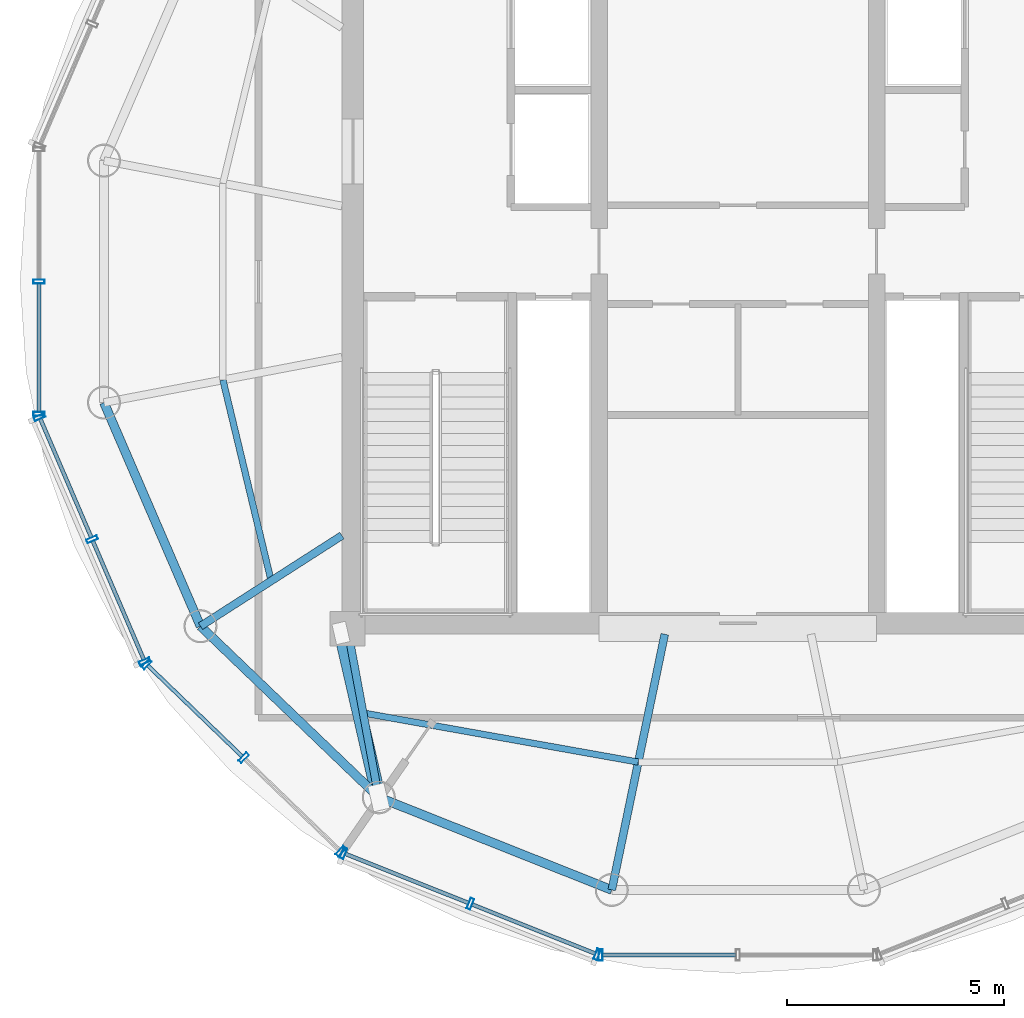
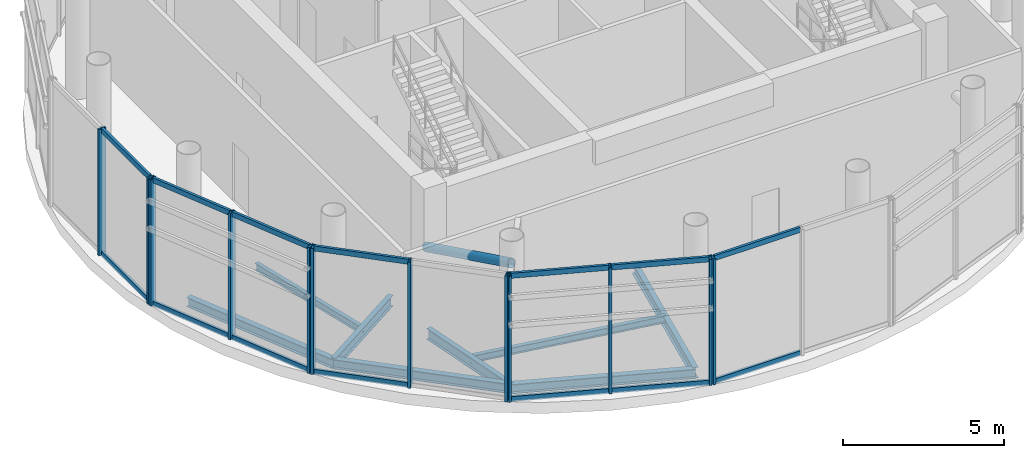
# One storey, part 2 of 14: 27 members, 8 beams, 5 elements without a shape of their own.
"""IFC4 building model written with IfcOpenShell, lengths in metres."""

from ifc_helpers import new_model, si_unit, direction, frame, origin, origin_2d, place, context, subcontext, project, spatial, hollow_rectangle, hollow_circle, i_section, extrude, source, transform, mapped, material, material_profile, profile_set, type_object, element, aggregate, save


model = new_model("IFC4")

# Units and contexts
model_context = context("Model", 3, precision=1e-05, world=origin(), true_north=direction((-0.2419218956, 0.970295726276)))
body_context = subcontext(model_context, "Body", "Model", "MODEL_VIEW")
ifc_project = project(units=[si_unit("LENGTHUNIT", "METRE"), si_unit("AREAUNIT", "SQUARE_METRE"), si_unit("VOLUMEUNIT", "CUBIC_METRE"), si_unit("PLANEANGLEUNIT", "RADIAN"), si_unit("MASSUNIT", "GRAM", prefix="KILO")], contexts=[model_context])

# Site, building, storey
site_placement = place(None, origin())
site = spatial("IfcSite", under=ifc_project, at=site_placement, CompositionType="ELEMENT")
building_placement = place(site_placement, origin())
building = spatial("IfcBuilding", under=site, at=building_placement, Name="Cobrevalo Terracotta Tower", CompositionType="ELEMENT")
storey_placement = place(building_placement, frame((0.0, 0.0, 326.89990234375)))
storey = spatial("IfcBuildingStorey", under=building, at=storey_placement, Name="L84", CompositionType="ELEMENT", Elevation=326.89990234375)

# Beams
ifc_material_1 = material(Name="Steel S355", Category="steel")
ifc_material_profile_1 = material_profile(ifc_material_1, i_section(OverallWidth=0.179931640625, OverallDepth=0.4130859375, WebThickness=0.009765625, FlangeThickness=0.01611328125, at=origin_2d()), Name="W 410x75")
ifc_profile_set_1 = profile_set([ifc_material_profile_1], Name="Steel S355")
beam_type_1 = type_object("IfcBeamType", Name="Structural Beam W 410x75 (Steel S355)", PredefinedType="BEAM", material=ifc_profile_set_1)
beam_1_placement = place(storey_placement, frame((25.611083984375, 18.855224609375, -0.62646484375), z_axis=(0.841794646381, 0.539797900444, 0.0), x_axis=(-0.539797900444, 0.841794646381, 0.0)))
element("IfcBeam", 1, at=beam_1_placement, inside=storey, type_object=beam_type_1, Name="L84 radial floor girder 10", PredefinedType="BEAM", context=body_context, shape_type="SweptSolid", body=[
    extrude(i_section(OverallWidth=0.179931640625, OverallDepth=0.4130859375, WebThickness=0.009765625, FlangeThickness=0.01611328125, at=origin_2d()), origin(), (0.0, 0.0, 1.0), 3.87158203125),
])
beam_2_placement = place(storey_placement, frame((29.721923828125, 14.909912109375, -0.62646484375), z_axis=(-0.182462670706, 0.983212781548, 0.0), x_axis=(-0.983212781548, -0.182462670706, 0.0)))
element("IfcBeam", 2, at=beam_2_placement, inside=storey, type_object=beam_type_1, Name="L84 radial floor girder 11", PredefinedType="BEAM", context=body_context, shape_type="SweptSolid", body=[
    extrude(i_section(OverallWidth=0.179931640625, OverallDepth=0.4130859375, WebThickness=0.009765625, FlangeThickness=0.01611328125, at=origin_2d()), origin(), (0.0, 0.0, 1.0), 3.95654296875),
])
beam_3_placement = place(storey_placement, frame((35.09326171875, 12.774658203125, -0.62646484375), z_axis=(0.202919370173, 0.979195449953, 0.0), x_axis=(-0.979195449953, 0.202919370173, 0.0)))
element("IfcBeam", 3, at=beam_3_placement, inside=storey, type_object=beam_type_1, Name="L84 radial floor girder 12", PredefinedType="BEAM", context=body_context, shape_type="SweptSolid", body=[
    extrude(i_section(OverallWidth=0.179931640625, OverallDepth=0.4130859375, WebThickness=0.009765625, FlangeThickness=0.01611328125, at=origin_2d()), origin(), (0.0, 0.0, 1.0), 6.0205078125),
])
ifc_material_profile_2 = material_profile(ifc_material_1, i_section(OverallWidth=0.14794921875, OverallDepth=0.26611328125, WebThickness=0.007568359375, FlangeThickness=0.012939453125, at=origin_2d()), Name="W 250x44.8")
ifc_profile_set_2 = profile_set([ifc_material_profile_2], Name="Steel S355")
beam_type_2 = type_object("IfcBeamType", Name="Structural Joist W 250x44.8 (Steel S355)", PredefinedType="JOIST", material=ifc_profile_set_2)
beam_4_placement = place(storey_placement, frame((26.128173828125, 24.53369140625, -0.552978515625), z_axis=(0.233423333819, -0.972375209078, 0.0), x_axis=(0.972375209078, 0.233423333819, 0.0)))
element("IfcBeam", 4, at=beam_4_placement, inside=storey, type_object=beam_type_2, Name="L84 circumferential secondary floor joist 09", PredefinedType="JOIST", context=body_context, shape_type="SweptSolid", body=[
    extrude(i_section(OverallWidth=0.14794921875, OverallDepth=0.26611328125, WebThickness=0.007568359375, FlangeThickness=0.012939453125, at=origin_2d()), origin(), (0.0, 0.0, 1.0), 4.76513671875),
])
beam_5_placement = place(storey_placement, frame((29.361083984375, 16.85498046875, -0.552978515625), z_axis=(0.984430619707, -0.175773590117, 0.0), x_axis=(0.175773590117, 0.984430619707, 0.0)))
element("IfcBeam", 5, at=beam_5_placement, inside=storey, type_object=beam_type_2, Name="L84 circumferential secondary floor joist 11", PredefinedType="JOIST", context=body_context, shape_type="SweptSolid", body=[
    extrude(i_section(OverallWidth=0.14794921875, OverallDepth=0.26611328125, WebThickness=0.007568359375, FlangeThickness=0.012939453125, at=origin_2d()), origin(), (0.0, 0.0, 1.0), 6.443359375),
])
ifc_material_profile_3 = material_profile(ifc_material_1, i_section(OverallWidth=0.205078125, OverallDepth=0.35400390625, WebThickness=0.009521484375, FlangeThickness=0.016845703125, at=origin_2d()), Name="W 360x79")
ifc_profile_set_3 = profile_set([ifc_material_profile_3], Name="Steel S355")
beam_type_3 = type_object("IfcBeamType", Name="Structural Spandrel W 360x79 (Steel S355)", PredefinedType="SPANDREL", material=ifc_profile_set_3)
beam_6_placement = place(storey_placement, frame((23.38623046875, 24.01025390625, -0.596923828125), z_axis=(0.396258594602, -0.918138947112, 0.0), x_axis=(0.918138947112, 0.396258594602, 0.0)))
element("IfcBeam", 6, at=beam_6_placement, inside=storey, type_object=beam_type_3, Name="L84 perimeter ring spandrel 09", PredefinedType="SPANDREL", context=body_context, shape_type="SweptSolid", body=[
    extrude(i_section(OverallWidth=0.205078125, OverallDepth=0.35400390625, WebThickness=0.009521484375, FlangeThickness=0.016845703125, at=origin_2d()), origin(), (0.0, 0.0, 1.0), 5.61474609375),
])
beam_7_placement = place(storey_placement, frame((25.611083984375, 18.855224609375, -0.596923828125), z_axis=(0.72148321486, -0.69243192494, 0.0), x_axis=(0.69243192494, 0.72148321486, 0.0)))
element("IfcBeam", 7, at=beam_7_placement, inside=storey, type_object=beam_type_3, Name="L84 perimeter ring spandrel 10", PredefinedType="SPANDREL", context=body_context, shape_type="SweptSolid", body=[
    extrude(i_section(OverallWidth=0.205078125, OverallDepth=0.35400390625, WebThickness=0.009521484375, FlangeThickness=0.016845703125, at=origin_2d()), origin(), (0.0, 0.0, 1.0), 5.69775390625),
])
beam_8_placement = place(storey_placement, frame((29.721923828125, 14.909912109375, -0.596923828125), z_axis=(0.929266894942, -0.369409038824, 0.0), x_axis=(0.369409038824, 0.929266894942, 0.0)))
element("IfcBeam", 8, at=beam_8_placement, inside=storey, type_object=beam_type_3, Name="L84 perimeter ring spandrel 11", PredefinedType="SPANDREL", context=body_context, shape_type="SweptSolid", body=[
    extrude(i_section(OverallWidth=0.205078125, OverallDepth=0.35400390625, WebThickness=0.009521484375, FlangeThickness=0.016845703125, at=origin_2d()), origin(), (0.0, 0.0, 1.0), 5.7802734375),
])

# Member
ifc_material_profile_4 = material_profile(ifc_material_1, hollow_circle(Radius=0.162109375, WallThickness=0.013916015625, at=origin_2d()), Name="CHS 324x14")
ifc_profile_set_4 = profile_set([ifc_material_profile_4], Name="Steel S355")
member_type_1 = type_object("IfcMemberType", Name="Steel Brace CHS 324x14 (Steel S355)", PredefinedType="BRACE", material=ifc_profile_set_4)
shared_shape_1 = source(origin(), body_context, "Body", "SweptSolid", [
    extrude(hollow_circle(Radius=0.162109375, WallThickness=0.013916015625, at=origin_2d()), origin(), (0.0, 0.0, 1.0), 4.126708984375),
])
member_1_placement = place(storey_placement, frame((28.85009765625, 18.699951171875, 2.75), z_axis=(0.211267372013, -0.918430322917, 0.334442580227), x_axis=(0.974548603832, 0.224176311794, 0.0)))
element("IfcMember", 9, at=member_1_placement, inside=storey, type_object=member_type_1, Name="L84 CROWN FRAME radial brace 03", PredefinedType="BRACE", context=body_context, shape_type="MappedRepresentation", body=[
    mapped(shared_shape_1, transform((0.0, 0.0, 0.0), scale=1.0)),
])

# Curtain wall, members
ifc_material_2 = material(Name="Anodized aluminium", Category="aluminium")
curtain_wall_type = type_object("IfcCurtainWallType", Name="Faceted glass-point crown structural glazing system CW-CR", PredefinedType="NOTDEFINED", material=ifc_material_2)
curtain_wall_1_placement = place(storey_placement, origin())
curtain_wall_1 = element("IfcCurtainWall", 10, at=curtain_wall_1_placement, inside=storey, type_object=curtain_wall_type, Name="L84 curtain wall CW-CRN-L84-S08", PredefinedType="NOTDEFINED")
ifc_material_profile_5 = material_profile(ifc_material_2, hollow_rectangle(XDim=0.090087890625, YDim=0.260009765625, WallThickness=0.006103515625, at=origin_2d()), Name="CWM 90x260")
ifc_profile_set_5 = profile_set([ifc_material_profile_5], Name="Anodized aluminium")
member_type_2 = type_object("IfcMemberType", Name="Crown structural glass mullion 90x260", PredefinedType="MULLION", material=ifc_profile_set_5)
shared_shape_2 = source(origin(), body_context, "Body", "SweptSolid", [
    extrude(hollow_rectangle(XDim=0.090087890625, YDim=0.260009765625, WallThickness=0.006103515625, at=origin_2d()), origin(), (0.0, 0.0, 1.0), 4.780029296875),
])
member_2_placement = place(storey_placement, frame((21.8857421875, 26.800048828125, 0.0), z_axis=(0.0, 0.0, 1.0), x_axis=(0.0, -1.0, 0.0)))
member_2 = element("IfcMember", 11, at=member_2_placement, type_object=member_type_2, Name="CW-CRN-L84-S08 vertical mullion 02", PredefinedType="MULLION", context=body_context, shape_type="MappedRepresentation", body=[
    mapped(shared_shape_2, transform((0.0, 0.0, 0.0), scale=1.0)),
])
member_3_placement = place(storey_placement, frame((21.8857421875, 23.751708984375, 0.0), z_axis=(0.0, 0.0, 1.0), x_axis=(0.0, -1.0, 0.0)))
member_3 = element("IfcMember", 12, at=member_3_placement, type_object=member_type_2, Name="CW-CRN-L84-S08 vertical mullion 03", PredefinedType="MULLION", context=body_context, shape_type="MappedRepresentation", body=[
    mapped(shared_shape_2, transform((0.0, 0.0, 0.0), scale=1.0)),
])

curtain_wall_2_placement = place(storey_placement, origin())
curtain_wall_2 = element("IfcCurtainWall", 13, at=curtain_wall_2_placement, inside=storey, type_object=curtain_wall_type, Name="L84 curtain wall CW-CRN-L84-S09", PredefinedType="NOTDEFINED")
member_4_placement = place(storey_placement, frame((21.901611328125, 23.675048828125, 0.0), z_axis=(0.0, 0.0, 1.0), x_axis=(0.394968347643, -0.918694728602, 0.0)))
member_4 = element("IfcMember", 14, at=member_4_placement, type_object=member_type_2, Name="CW-CRN-L84-S09 vertical mullion 01", PredefinedType="MULLION", context=body_context, shape_type="MappedRepresentation", body=[
    mapped(shared_shape_2, transform((0.0, 0.0, 0.0), scale=1.0)),
])
member_5_placement = place(storey_placement, frame((23.1123046875, 20.858642578125, 0.0), z_axis=(0.0, 0.0, 1.0), x_axis=(0.394968347643, -0.918694728602, 0.0)))
member_5 = element("IfcMember", 15, at=member_5_placement, type_object=member_type_2, Name="CW-CRN-L84-S09 vertical mullion 02", PredefinedType="MULLION", context=body_context, shape_type="MappedRepresentation", body=[
    mapped(shared_shape_2, transform((0.0, 0.0, 0.0), scale=1.0)),
])
member_6_placement = place(storey_placement, frame((24.3232421875, 18.0419921875, 0.0), z_axis=(0.0, 0.0, 1.0), x_axis=(0.394968347643, -0.918694728602, 0.0)))
member_6 = element("IfcMember", 16, at=member_6_placement, type_object=member_type_2, Name="CW-CRN-L84-S09 vertical mullion 03", PredefinedType="MULLION", context=body_context, shape_type="MappedRepresentation", body=[
    mapped(shared_shape_2, transform((0.0, 0.0, 0.0), scale=1.0)),
])

curtain_wall_3_placement = place(storey_placement, origin())
curtain_wall_3 = element("IfcCurtainWall", 17, at=curtain_wall_3_placement, inside=storey, type_object=curtain_wall_type, Name="L84 curtain wall CW-CRN-L84-S10", PredefinedType="NOTDEFINED")
member_7_placement = place(storey_placement, frame((24.36767578125, 17.9775390625, 0.0), z_axis=(0.0, 0.0, 1.0), x_axis=(0.72013951191, -0.693829289801, 0.0)))
member_7 = element("IfcMember", 18, at=member_7_placement, type_object=member_type_2, Name="CW-CRN-L84-S10 vertical mullion 01", PredefinedType="MULLION", context=body_context, shape_type="MappedRepresentation", body=[
    mapped(shared_shape_2, transform((0.0, 0.0, 0.0), scale=1.0)),
])
member_8_placement = place(storey_placement, frame((26.60546875, 15.821533203125, 0.0), z_axis=(0.0, 0.0, 1.0), x_axis=(0.72013951191, -0.693829289801, 0.0)))
member_8 = element("IfcMember", 19, at=member_8_placement, type_object=member_type_2, Name="CW-CRN-L84-S10 vertical mullion 02", PredefinedType="MULLION", context=body_context, shape_type="MappedRepresentation", body=[
    mapped(shared_shape_2, transform((0.0, 0.0, 0.0), scale=1.0)),
])
member_9_placement = place(storey_placement, frame((28.84326171875, 13.66552734375, 0.0), z_axis=(0.0, 0.0, 1.0), x_axis=(0.72013951191, -0.693829289801, 0.0)))
member_9 = element("IfcMember", 20, at=member_9_placement, type_object=member_type_2, Name="CW-CRN-L84-S10 vertical mullion 03", PredefinedType="MULLION", context=body_context, shape_type="MappedRepresentation", body=[
    mapped(shared_shape_2, transform((0.0, 0.0, 0.0), scale=1.0)),
])

curtain_wall_4_placement = place(storey_placement, origin())
curtain_wall_4 = element("IfcCurtainWall", 21, at=curtain_wall_4_placement, inside=storey, type_object=curtain_wall_type, Name="L84 curtain wall CW-CRN-L84-S11", PredefinedType="NOTDEFINED")
member_10_placement = place(storey_placement, frame((28.9091796875, 13.623046875, 0.0), z_axis=(0.0, 0.0, 1.0), x_axis=(0.928770743095, -0.370654700187, 0.0)))
member_10 = element("IfcMember", 22, at=member_10_placement, type_object=member_type_2, Name="CW-CRN-L84-S11 vertical mullion 01", PredefinedType="MULLION", context=body_context, shape_type="MappedRepresentation", body=[
    mapped(shared_shape_2, transform((0.0, 0.0, 0.0), scale=1.0)),
])
member_11_placement = place(storey_placement, frame((31.833251953125, 12.4560546875, 0.0), z_axis=(0.0, 0.0, 1.0), x_axis=(0.928770743095, -0.370654700187, 0.0)))
member_11 = element("IfcMember", 23, at=member_11_placement, type_object=member_type_2, Name="CW-CRN-L84-S11 vertical mullion 02", PredefinedType="MULLION", context=body_context, shape_type="MappedRepresentation", body=[
    mapped(shared_shape_2, transform((0.0, 0.0, 0.0), scale=1.0)),
])
member_12_placement = place(storey_placement, frame((34.757568359375, 11.2890625, 0.0), z_axis=(0.0, 0.0, 1.0), x_axis=(0.928770743095, -0.370654700187, 0.0)))
member_12 = element("IfcMember", 24, at=member_12_placement, type_object=member_type_2, Name="CW-CRN-L84-S11 vertical mullion 03", PredefinedType="MULLION", context=body_context, shape_type="MappedRepresentation", body=[
    mapped(shared_shape_2, transform((0.0, 0.0, 0.0), scale=1.0)),
])

# Curtain wall, member
curtain_wall_5_placement = place(storey_placement, origin())
curtain_wall_5 = element("IfcCurtainWall", 25, at=curtain_wall_5_placement, inside=storey, type_object=curtain_wall_type, Name="L84 curtain wall CW-CRN-L84-S12", PredefinedType="NOTDEFINED")
member_13_placement = place(storey_placement, frame((34.834716796875, 11.274169921875, 0.0), z_axis=(0.0, 0.0, 1.0), x_axis=(1.0, 0.0, 0.0)))
member_13 = element("IfcMember", 26, at=member_13_placement, type_object=member_type_2, Name="CW-CRN-L84-S12 vertical mullion 01", PredefinedType="MULLION", context=body_context, shape_type="MappedRepresentation", body=[
    mapped(shared_shape_2, transform((0.0, 0.0, 0.0), scale=1.0)),
])

# Member
ifc_material_profile_6 = material_profile(ifc_material_2, hollow_rectangle(XDim=0.090087890625, YDim=0.195068359375, WallThickness=0.005615234375, at=origin_2d()), Name="CWT 90x195")
ifc_profile_set_6 = profile_set([ifc_material_profile_6], Name="Anodized aluminium")
member_type_3 = type_object("IfcMemberType", Name="Crown structural aluminium transom 90x195", PredefinedType="USERDEFINED", material=ifc_profile_set_6)
shared_shape_3 = source(origin(), body_context, "Body", "SweptSolid", [
    extrude(hollow_rectangle(XDim=0.090087890625, YDim=0.195068359375, WallThickness=0.005615234375, at=origin_2d()), origin(), (0.0, 0.0, 1.0), 2.985595703125),
])
member_14_placement = place(storey_placement, frame((21.917236328125, 23.63818359375, 0.050048828125), z_axis=(0.39495528775, -0.918700343245, 0.0), x_axis=(0.918700343245, 0.39495528775, 0.0)))
member_14 = element("IfcMember", 27, at=member_14_placement, type_object=member_type_3, Name="CW-CRN-L84-S09 transom B01-T1", ObjectType="TRANSOM", PredefinedType="USERDEFINED", context=body_context, shape_type="MappedRepresentation", body=[
    mapped(shared_shape_3, transform((0.0, 0.0, 0.0), scale=1.0)),
])

member_15_placement = place(storey_placement, frame((21.917236328125, 23.63818359375, 4.72998046875), z_axis=(0.39495528775, -0.918700343245, 0.0), x_axis=(0.918700343245, 0.39495528775, 0.0)))
member_15 = element("IfcMember", 28, at=member_15_placement, type_object=member_type_3, Name="CW-CRN-L84-S09 transom B01-T2", ObjectType="TRANSOM", PredefinedType="USERDEFINED", context=body_context, shape_type="MappedRepresentation", body=[
    mapped(shared_shape_3, transform((0.0, 0.0, 0.0), scale=1.0)),
])

member_16_placement = place(storey_placement, frame((23.128173828125, 20.82177734375, 0.050048828125), z_axis=(0.39495528775, -0.918700343245, 0.0), x_axis=(0.918700343245, 0.39495528775, 0.0)))
member_16 = element("IfcMember", 29, at=member_16_placement, type_object=member_type_3, Name="CW-CRN-L84-S09 transom B02-T1", ObjectType="TRANSOM", PredefinedType="USERDEFINED", context=body_context, shape_type="MappedRepresentation", body=[
    mapped(shared_shape_3, transform((0.0, 0.0, 0.0), scale=1.0)),
])

member_17_placement = place(storey_placement, frame((23.128173828125, 20.82177734375, 4.72998046875), z_axis=(0.39495528775, -0.918700343245, 0.0), x_axis=(0.918700343245, 0.39495528775, 0.0)))
member_17 = element("IfcMember", 30, at=member_17_placement, type_object=member_type_3, Name="CW-CRN-L84-S09 transom B02-T2", ObjectType="TRANSOM", PredefinedType="USERDEFINED", context=body_context, shape_type="MappedRepresentation", body=[
    mapped(shared_shape_3, transform((0.0, 0.0, 0.0), scale=1.0)),
])

aggregate(curtain_wall_2, [member_4, member_5, member_6, member_14, member_15, member_16, member_17])

shared_shape_4 = source(origin(), body_context, "Body", "SweptSolid", [
    extrude(hollow_rectangle(XDim=0.090087890625, YDim=0.195068359375, WallThickness=0.005615234375, at=origin_2d()), origin(), (0.0, 0.0, 1.0), 3.068359375),
])
member_18_placement = place(storey_placement, frame((28.9462890625, 13.608154296875, 0.050048828125), z_axis=(0.928783665668, -0.370622317715, 0.0), x_axis=(0.370622317715, 0.928783665668, 0.0)))
member_18 = element("IfcMember", 31, at=member_18_placement, type_object=member_type_3, Name="CW-CRN-L84-S11 transom B01-T1", ObjectType="TRANSOM", PredefinedType="USERDEFINED", context=body_context, shape_type="MappedRepresentation", body=[
    mapped(shared_shape_4, transform((0.0, 0.0, 0.0), scale=1.0)),
])

member_19_placement = place(storey_placement, frame((28.9462890625, 13.608154296875, 4.72998046875), z_axis=(0.928783665668, -0.370622317715, 0.0), x_axis=(0.370622317715, 0.928783665668, 0.0)))
member_19 = element("IfcMember", 32, at=member_19_placement, type_object=member_type_3, Name="CW-CRN-L84-S11 transom B01-T2", ObjectType="TRANSOM", PredefinedType="USERDEFINED", context=body_context, shape_type="MappedRepresentation", body=[
    mapped(shared_shape_4, transform((0.0, 0.0, 0.0), scale=1.0)),
])

shared_shape_5 = source(origin(), body_context, "Body", "SweptSolid", [
    extrude(hollow_rectangle(XDim=0.090087890625, YDim=0.195068359375, WallThickness=0.005615234375, at=origin_2d()), origin(), (0.0, 0.0, 1.0), 3.068603515625),
])
member_20_placement = place(storey_placement, frame((31.870361328125, 12.441162109375, 0.050048828125), z_axis=(0.928767206697, -0.370663561419, 0.0), x_axis=(0.370663561419, 0.928767206697, 0.0)))
member_20 = element("IfcMember", 33, at=member_20_placement, type_object=member_type_3, Name="CW-CRN-L84-S11 transom B02-T1", ObjectType="TRANSOM", PredefinedType="USERDEFINED", context=body_context, shape_type="MappedRepresentation", body=[
    mapped(shared_shape_5, transform((0.0, 0.0, 0.0), scale=1.0)),
])

member_21_placement = place(storey_placement, frame((31.870361328125, 12.441162109375, 4.72998046875), z_axis=(0.928767206697, -0.370663561419, 0.0), x_axis=(0.370663561419, 0.928767206697, 0.0)))
member_21 = element("IfcMember", 34, at=member_21_placement, type_object=member_type_3, Name="CW-CRN-L84-S11 transom B02-T2", ObjectType="TRANSOM", PredefinedType="USERDEFINED", context=body_context, shape_type="MappedRepresentation", body=[
    mapped(shared_shape_5, transform((0.0, 0.0, 0.0), scale=1.0)),
])

aggregate(curtain_wall_4, [member_10, member_11, member_12, member_18, member_19, member_20, member_21])

shared_shape_6 = source(origin(), body_context, "Body", "SweptSolid", [
    extrude(hollow_rectangle(XDim=0.090087890625, YDim=0.195068359375, WallThickness=0.005615234375, at=origin_2d()), origin(), (0.0, 0.0, 1.0), 3.085205078125),
])
member_22_placement = place(storey_placement, frame((34.874755859375, 11.274169921875, 0.050048828125), z_axis=(1.0, 0.0, 0.0), x_axis=(0.0, 1.0, 0.0)))
member_22 = element("IfcMember", 35, at=member_22_placement, type_object=member_type_3, Name="CW-CRN-L84-S12 transom B01-T1", ObjectType="TRANSOM", PredefinedType="USERDEFINED", context=body_context, shape_type="MappedRepresentation", body=[
    mapped(shared_shape_6, transform((0.0, 0.0, 0.0), scale=1.0)),
])

member_23_placement = place(storey_placement, frame((34.874755859375, 11.274169921875, 4.72998046875), z_axis=(1.0, 0.0, 0.0), x_axis=(0.0, 1.0, 0.0)))
member_23 = element("IfcMember", 36, at=member_23_placement, type_object=member_type_3, Name="CW-CRN-L84-S12 transom B01-T2", ObjectType="TRANSOM", PredefinedType="USERDEFINED", context=body_context, shape_type="MappedRepresentation", body=[
    mapped(shared_shape_6, transform((0.0, 0.0, 0.0), scale=1.0)),
])

aggregate(curtain_wall_5, [member_13, member_22, member_23])

shared_shape_7 = source(origin(), body_context, "Body", "SweptSolid", [
    extrude(hollow_rectangle(XDim=0.090087890625, YDim=0.195068359375, WallThickness=0.005615234375, at=origin_2d()), origin(), (0.0, 0.0, 1.0), 2.96826171875),
])
member_24_placement = place(storey_placement, frame((21.8857421875, 26.760009765625, 0.050048828125), z_axis=(0.0, -1.0, 0.0), x_axis=(1.0, 0.0, 0.0)))
member_24 = element("IfcMember", 37, at=member_24_placement, type_object=member_type_3, Name="CW-CRN-L84-S08 transom B02-T1", ObjectType="TRANSOM", PredefinedType="USERDEFINED", context=body_context, shape_type="MappedRepresentation", body=[
    mapped(shared_shape_7, transform((0.0, 0.0, 0.0), scale=1.0)),
])

member_25_placement = place(storey_placement, frame((21.8857421875, 26.760009765625, 4.72998046875), z_axis=(0.0, -1.0, 0.0), x_axis=(1.0, 0.0, 0.0)))
member_25 = element("IfcMember", 38, at=member_25_placement, type_object=member_type_3, Name="CW-CRN-L84-S08 transom B02-T2", ObjectType="TRANSOM", PredefinedType="USERDEFINED", context=body_context, shape_type="MappedRepresentation", body=[
    mapped(shared_shape_7, transform((0.0, 0.0, 0.0), scale=1.0)),
])

aggregate(curtain_wall_1, [member_2, member_3, member_24, member_25])

shared_shape_8 = source(origin(), body_context, "Body", "SweptSolid", [
    extrude(hollow_rectangle(XDim=0.090087890625, YDim=0.195068359375, WallThickness=0.005615234375, at=origin_2d()), origin(), (0.0, 0.0, 1.0), 3.02734375),
])
member_26_placement = place(storey_placement, frame((24.396484375, 17.94970703125, 0.050048828125), z_axis=(0.72016946581, -0.693798198697, 0.0), x_axis=(0.693798198697, 0.72016946581, 0.0)))
member_26 = element("IfcMember", 39, at=member_26_placement, type_object=member_type_3, Name="CW-CRN-L84-S10 transom B01-T1", ObjectType="TRANSOM", PredefinedType="USERDEFINED", context=body_context, shape_type="MappedRepresentation", body=[
    mapped(shared_shape_8, transform((0.0, 0.0, 0.0), scale=1.0)),
])

member_27_placement = place(storey_placement, frame((24.396484375, 17.94970703125, 4.72998046875), z_axis=(0.72016946581, -0.693798198697, 0.0), x_axis=(0.693798198697, 0.72016946581, 0.0)))
member_27 = element("IfcMember", 40, at=member_27_placement, type_object=member_type_3, Name="CW-CRN-L84-S10 transom B01-T2", ObjectType="TRANSOM", PredefinedType="USERDEFINED", context=body_context, shape_type="MappedRepresentation", body=[
    mapped(shared_shape_8, transform((0.0, 0.0, 0.0), scale=1.0)),
])

aggregate(curtain_wall_3, [member_7, member_8, member_9, member_26, member_27])

save(model, "model.ifc")
